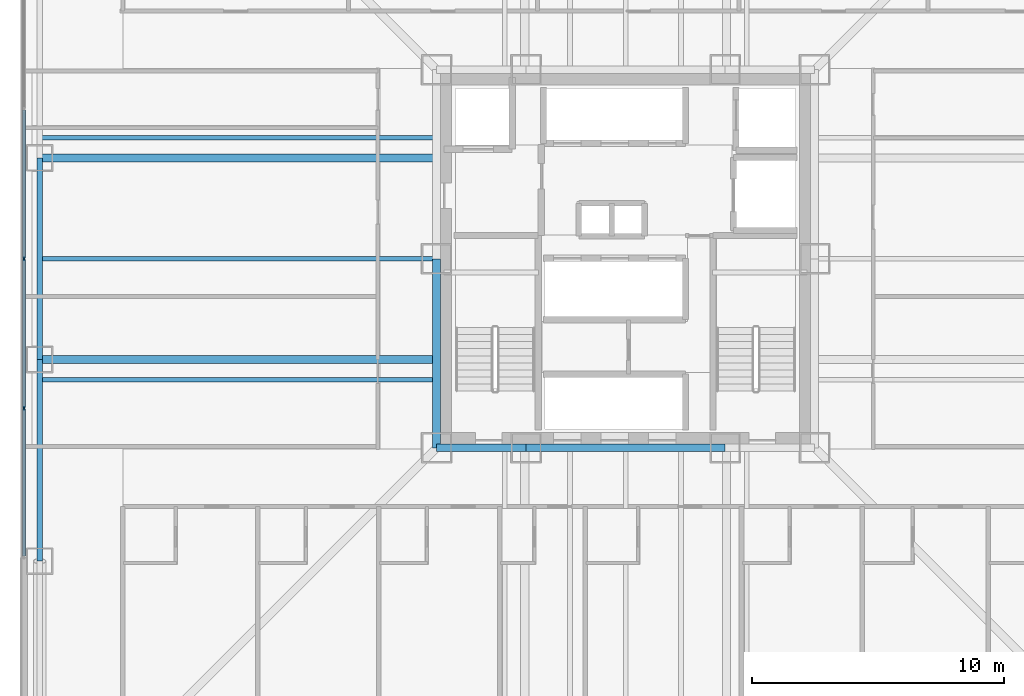
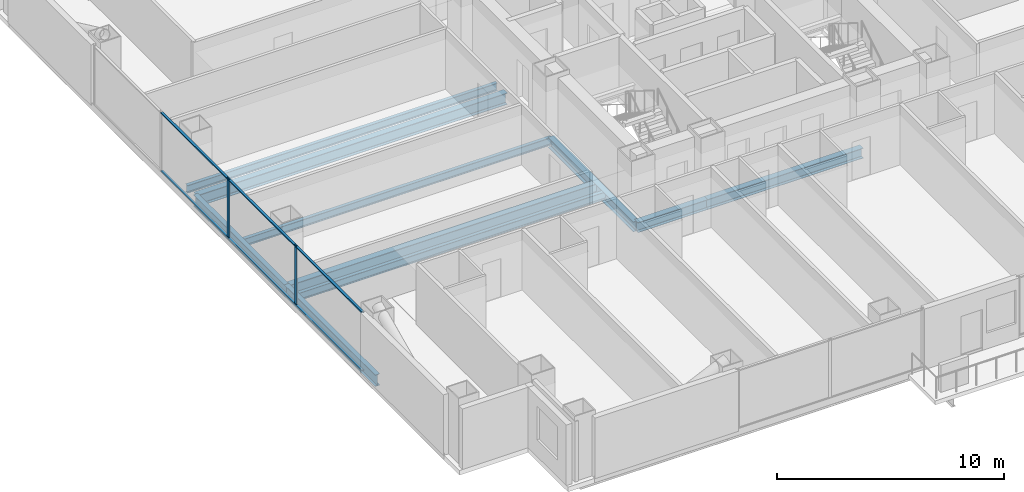
# One storey, part 4 of 16: 10 beams, 8 members, 1 element without a shape of its own.
"""IFC4 building model written with IfcOpenShell, lengths in metres."""

from ifc_helpers import new_model, si_unit, direction, frame, origin, origin_2d, place, context, subcontext, project, spatial, rectangle, i_section, extrude, material, layer, layer_set, material_profile, profile_set, type_object, element, aggregate, save


model = new_model("IFC4")

# Units and contexts
model_context = context("Model", 3, precision=1e-05, world=origin(), true_north=direction((0.0, 1.0)))
body_context = subcontext(model_context, "Body", "Model", "MODEL_VIEW")
ifc_project = project(units=[si_unit("LENGTHUNIT", "METRE"), si_unit("AREAUNIT", "SQUARE_METRE"), si_unit("VOLUMEUNIT", "CUBIC_METRE"), si_unit("PLANEANGLEUNIT", "RADIAN"), si_unit("MASSUNIT", "GRAM", prefix="KILO")], contexts=[model_context])

# Site, building, storey
site_placement = place(None, origin())
site = spatial("IfcSite", under=ifc_project, at=site_placement, CompositionType="ELEMENT")
building_placement = place(site_placement, origin())
building = spatial("IfcBuilding", under=site, at=building_placement, Name="Trevonay Congress Spire", CompositionType="ELEMENT")
storey_placement = place(building_placement, frame((0.0, 0.0, 65.5)))
storey = spatial("IfcBuildingStorey", under=building, at=storey_placement, Name="L16", CompositionType="ELEMENT", Elevation=65.5)

# Beams
ifc_material_1 = material(Name="Steel ASTM A572 Grade 50", Category="steel")
ifc_material_profile_1 = material_profile(ifc_material_1, i_section(OverallWidth=0.31201171875, OverallDepth=0.54296875, WebThickness=0.0126953125, FlangeThickness=0.020263671875, FilletRadius=0.014892578125, at=origin_2d()), Name="W530x150")
ifc_profile_set_1 = profile_set([ifc_material_profile_1], Name="Steel ASTM A572 Grade 50")
beam_type_1 = type_object("IfcBeamType", Name="BM-GIRD-W530X150", PredefinedType="BEAM", material=ifc_profile_set_1)
beam_1_placement = place(storey_placement, frame((-7.5, -7.5, -0.521484375), z_axis=(1.0, 0.0, 0.0), x_axis=(0.0, 1.0, 0.0)))
element("IfcBeam", 1, at=beam_1_placement, inside=storey, type_object=beam_type_1, Name="L16 structural beam BM-L16-CR-S1", PredefinedType="BEAM", context=body_context, shape_type="SweptSolid", body=[
    extrude(i_section(OverallWidth=0.31201171875, OverallDepth=0.54296875, WebThickness=0.0126953125, FlangeThickness=0.020263671875, FilletRadius=0.014892578125, at=origin_2d()), origin(), (0.0, 0.0, 1.0), 3.550048828125),
])
beam_2_placement = place(storey_placement, frame((-3.949951171875, -7.5, -0.521484375), z_axis=(1.0, 0.0, 0.0), x_axis=(0.0, 1.0, 0.0)))
element("IfcBeam", 2, at=beam_2_placement, inside=storey, type_object=beam_type_1, Name="L16 structural beam BM-L16-CR-S2", PredefinedType="BEAM", context=body_context, shape_type="SweptSolid", body=[
    extrude(i_section(OverallWidth=0.31201171875, OverallDepth=0.54296875, WebThickness=0.0126953125, FlangeThickness=0.020263671875, FilletRadius=0.014892578125, at=origin_2d()), origin(), (0.0, 0.0, 1.0), 7.89990234375),
])
beam_3_placement = place(storey_placement, frame((-7.5, -7.5, -0.521484375), z_axis=(0.0, 1.0, 0.0), x_axis=(-1.0, 0.0, 0.0)))
element("IfcBeam", 3, at=beam_3_placement, inside=storey, type_object=beam_type_1, Name="L16 structural beam BM-L16-CR-W1", PredefinedType="BEAM", context=body_context, shape_type="SweptSolid", body=[
    extrude(i_section(OverallWidth=0.31201171875, OverallDepth=0.54296875, WebThickness=0.0126953125, FlangeThickness=0.020263671875, FilletRadius=0.014892578125, at=origin_2d()), origin(), (0.0, 0.0, 1.0), 7.5),
])
ifc_material_profile_2 = material_profile(ifc_material_1, i_section(OverallWidth=0.324951171875, OverallDepth=0.615966796875, WebThickness=0.013916015625, FlangeThickness=0.021484375, FilletRadius=0.01806640625, at=origin_2d()), Name="W610x174")
ifc_profile_set_2 = profile_set([ifc_material_profile_2], Name="Steel ASTM A572 Grade 50")
beam_type_2 = type_object("IfcBeamType", Name="BM-GIRD-W610X174", PredefinedType="BEAM", material=ifc_profile_set_2)
for number, where, z_axis, x_axis, name in (
    (4, (-7.5, -4.0, -0.55810546875), (-1.0, 0.0, 0.0), (0.0, -1.0, 0.0), "L16 structural beam BM-L16-GW-M"),
    (5, (-7.5, 4.0, -0.55810546875), (-1.0, 0.0, 0.0), (0.0, -1.0, 0.0), "L16 structural beam BM-L16-GW-P"),
):
    element("IfcBeam", number, at=place(storey_placement, frame(where, z_axis=z_axis, x_axis=x_axis)), inside=storey, type_object=beam_type_2, Name=name, PredefinedType="BEAM", context=body_context, shape_type="SweptSolid", body=[
        extrude(i_section(OverallWidth=0.324951171875, OverallDepth=0.615966796875, WebThickness=0.013916015625, FlangeThickness=0.021484375, FilletRadius=0.01806640625, at=origin_2d()), origin(), (0.0, 0.0, 1.0), 15.75),
    ])
ifc_material_profile_3 = material_profile(ifc_material_1, i_section(OverallWidth=0.22998046875, OverallDepth=0.616943359375, WebThickness=0.01318359375, FlangeThickness=0.022216796875, FilletRadius=0.01611328125, at=origin_2d()), Name="W610x140")
ifc_profile_set_3 = profile_set([ifc_material_profile_3], Name="Steel ASTM A572 Grade 50")
beam_type_3 = type_object("IfcBeamType", Name="BM-RING-W610X140", PredefinedType="BEAM", material=ifc_profile_set_3)
for number, where, z_axis, x_axis, name in (
    (6, (-23.25, -12.0, -0.55859375), (0.0, 1.0, 0.0), (-1.0, 0.0, 0.0), "L16 structural beam BM-L16-PW2"),
    (7, (-23.25, -4.0, -0.55859375), (0.0, 1.0, 0.0), (-1.0, 0.0, 0.0), "L16 structural beam BM-L16-PW3"),
):
    element("IfcBeam", number, at=place(storey_placement, frame(where, z_axis=z_axis, x_axis=x_axis)), inside=storey, type_object=beam_type_3, Name=name, PredefinedType="BEAM", context=body_context, shape_type="SweptSolid", body=[
        extrude(i_section(OverallWidth=0.22998046875, OverallDepth=0.616943359375, WebThickness=0.01318359375, FlangeThickness=0.022216796875, FilletRadius=0.01611328125, at=origin_2d()), origin(), (0.0, 0.0, 1.0), 8.0),
    ])

# Curtain wall, members
ifc_material_2 = material(Name="Pale Anodised Aluminium EN AW-6063-T6", Category="aluminium")
ifc_layer = layer(ifc_material_2, 0.179931640625, Name="Pale Anodised Aluminium EN AW-6063-T6")
ifc_layer_set = layer_set([ifc_layer], Name="Pale Anodised Aluminium EN AW-6063-T6")
curtain_wall_type = type_object("IfcCurtainWallType", Name="CW-SYS02-HOTEL-PALE-METAL", PredefinedType="NOTDEFINED", material=ifc_layer_set)
curtain_wall_placement = place(storey_placement, origin())
curtain_wall = element("IfcCurtainWall", 8, at=curtain_wall_placement, inside=storey, type_object=curtain_wall_type, Name="L16 W unitised curtain wall", PredefinedType="NOTDEFINED")
ifc_material_profile_4 = material_profile(ifc_material_2, rectangle(XDim=0.06005859375, YDim=0.159912109375, at=origin_2d()), Name="CW-MULLION-160-ALUMINIUM")
ifc_profile_set_4 = profile_set([ifc_material_profile_4], Name="Pale Anodised Aluminium EN AW-6063-T6")
member_type_1 = type_object("IfcMemberType", Name="CW-MULLION-160-ALUMINIUM", PredefinedType="MULLION", material=ifc_profile_set_4)
member_1_placement = place(storey_placement, frame((-23.8798828125, -5.925048828125, 0.0), z_axis=(0.0, 0.0, 1.0), x_axis=(-1.0, 0.0, 0.0)))
member_1 = element("IfcMember", 9, at=member_1_placement, type_object=member_type_1, Name="CW02 mullion 2", PredefinedType="MULLION", context=body_context, shape_type="SweptSolid", body=[
    extrude(rectangle(XDim=0.06005859375, YDim=0.159912109375, at=origin_2d()), origin(), (0.0, 0.0, 1.0), 3.25),
])
member_2_placement = place(storey_placement, frame((-23.8798828125, 0.0, 0.0), z_axis=(0.0, 0.0, 1.0), x_axis=(-1.0, 0.0, 0.0)))
member_2 = element("IfcMember", 10, at=member_2_placement, type_object=member_type_1, Name="CW02 mullion 3", PredefinedType="MULLION", context=body_context, shape_type="SweptSolid", body=[
    extrude(rectangle(XDim=0.06005859375, YDim=0.159912109375, at=origin_2d()), origin(), (0.0, 0.0, 1.0), 3.25),
])
ifc_material_profile_5 = material_profile(ifc_material_2, rectangle(XDim=0.1201171875, YDim=0.06005859375, at=origin_2d()), Name="CW-TRANSOM-120-ALUMINIUM")
ifc_profile_set_5 = profile_set([ifc_material_profile_5], Name="Pale Anodised Aluminium EN AW-6063-T6")
member_type_2 = type_object("IfcMemberType", Name="CW-TRANSOM-120-ALUMINIUM", PredefinedType="USERDEFINED", material=ifc_profile_set_5)
member_3_placement = place(storey_placement, frame((-23.8798828125, -11.7900390625, 0.06005859375), z_axis=(0.0, 1.0, 0.0), x_axis=(-1.0, 0.0, 0.0)))
member_3 = element("IfcMember", 11, at=member_3_placement, type_object=member_type_2, Name="CW02 transom 1.1", ObjectType="TRANSOM", PredefinedType="USERDEFINED", context=body_context, shape_type="SweptSolid", body=[
    extrude(rectangle(XDim=0.1201171875, YDim=0.06005859375, at=origin_2d()), origin(), (0.0, 0.0, 1.0), 5.8349609375),
])
member_4_placement = place(storey_placement, frame((-23.8798828125, -11.7900390625, 3.18994140625), z_axis=(0.0, 1.0, 0.0), x_axis=(-1.0, 0.0, 0.0)))
member_4 = element("IfcMember", 12, at=member_4_placement, type_object=member_type_2, Name="CW02 transom 1.2", ObjectType="TRANSOM", PredefinedType="USERDEFINED", context=body_context, shape_type="SweptSolid", body=[
    extrude(rectangle(XDim=0.1201171875, YDim=0.06005859375, at=origin_2d()), origin(), (0.0, 0.0, 1.0), 5.8349609375),
])
member_5_placement = place(storey_placement, frame((-23.8798828125, -5.89501953125, 0.06005859375), z_axis=(0.0, 1.0, 0.0), x_axis=(-1.0, 0.0, 0.0)))
member_5 = element("IfcMember", 13, at=member_5_placement, type_object=member_type_2, Name="CW02 transom 2.1", ObjectType="TRANSOM", PredefinedType="USERDEFINED", context=body_context, shape_type="SweptSolid", body=[
    extrude(rectangle(XDim=0.1201171875, YDim=0.06005859375, at=origin_2d()), origin(), (0.0, 0.0, 1.0), 5.864990234375),
])
member_6_placement = place(storey_placement, frame((-23.8798828125, -5.89501953125, 3.18994140625), z_axis=(0.0, 1.0, 0.0), x_axis=(-1.0, 0.0, 0.0)))
member_6 = element("IfcMember", 14, at=member_6_placement, type_object=member_type_2, Name="CW02 transom 2.2", ObjectType="TRANSOM", PredefinedType="USERDEFINED", context=body_context, shape_type="SweptSolid", body=[
    extrude(rectangle(XDim=0.1201171875, YDim=0.06005859375, at=origin_2d()), origin(), (0.0, 0.0, 1.0), 5.864990234375),
])
member_7_placement = place(storey_placement, frame((-23.8798828125, 0.030029296875, 0.06005859375), z_axis=(0.0, 1.0, 0.0), x_axis=(-1.0, 0.0, 0.0)))
member_7 = element("IfcMember", 15, at=member_7_placement, type_object=member_type_2, Name="CW02 transom 3.1", ObjectType="TRANSOM", PredefinedType="USERDEFINED", context=body_context, shape_type="SweptSolid", body=[
    extrude(rectangle(XDim=0.1201171875, YDim=0.06005859375, at=origin_2d()), origin(), (0.0, 0.0, 1.0), 5.864990234375),
])
member_8_placement = place(storey_placement, frame((-23.8798828125, 0.030029296875, 3.18994140625), z_axis=(0.0, 1.0, 0.0), x_axis=(-1.0, 0.0, 0.0)))
member_8 = element("IfcMember", 16, at=member_8_placement, type_object=member_type_2, Name="CW02 transom 3.2", ObjectType="TRANSOM", PredefinedType="USERDEFINED", context=body_context, shape_type="SweptSolid", body=[
    extrude(rectangle(XDim=0.1201171875, YDim=0.06005859375, at=origin_2d()), origin(), (0.0, 0.0, 1.0), 5.864990234375),
])
aggregate(curtain_wall, [member_1, member_2, member_3, member_4, member_5, member_6, member_7, member_8])

# Beams
ifc_material_profile_6 = material_profile(ifc_material_1, i_section(OverallWidth=0.177978515625, OverallDepth=0.406982421875, WebThickness=0.0078125, FlangeThickness=0.0126953125, FilletRadius=0.012939453125, at=origin_2d()), Name="W410x60")
ifc_profile_set_6 = profile_set([ifc_material_profile_6], Name="Steel ASTM A572 Grade 50")
beam_type_4 = type_object("IfcBeamType", Name="JS-COMP-W410X60", PredefinedType="JOIST", material=ifc_profile_set_6)
for number, where, z_axis, x_axis, name in (
    (17, (-23.25, -4.800048828125, -0.45361328125), (1.0, 0.0, 0.0), (0.0, 1.0, 0.0), "L16 structural beam JS-L16-EW-W1"),
    (18, (-23.25, 0.0, -0.45361328125), (1.0, 0.0, 0.0), (0.0, 1.0, 0.0), "L16 structural beam JS-L16-EW-W2"),
    (19, (-23.25, 4.800048828125, -0.45361328125), (1.0, 0.0, 0.0), (0.0, 1.0, 0.0), "L16 structural beam JS-L16-EW-W3"),
):
    element("IfcBeam", number, at=place(storey_placement, frame(where, z_axis=z_axis, x_axis=x_axis)), inside=storey, type_object=beam_type_4, Name=name, PredefinedType="JOIST", context=body_context, shape_type="SweptSolid", body=[
        extrude(i_section(OverallWidth=0.177978515625, OverallDepth=0.406982421875, WebThickness=0.0078125, FlangeThickness=0.0126953125, FilletRadius=0.012939453125, at=origin_2d()), origin(), (0.0, 0.0, 1.0), 15.75),
    ])

save(model, "model.ifc")
